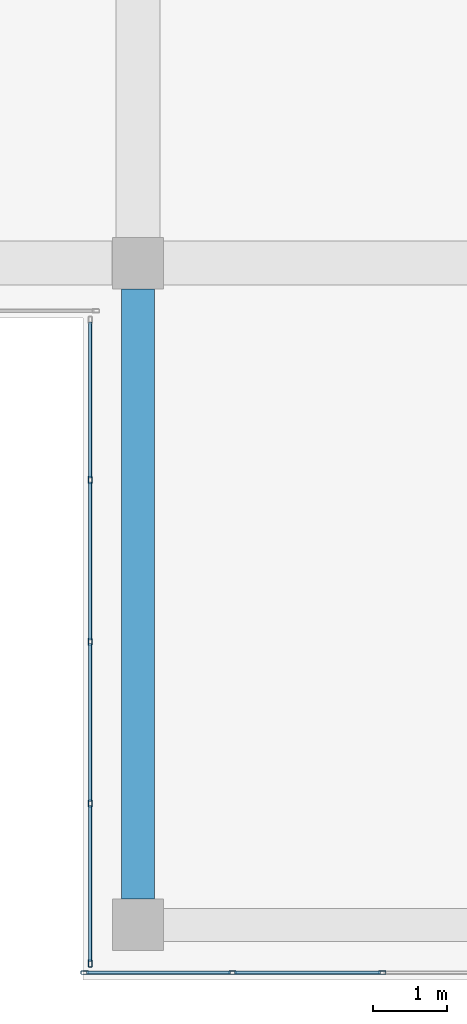
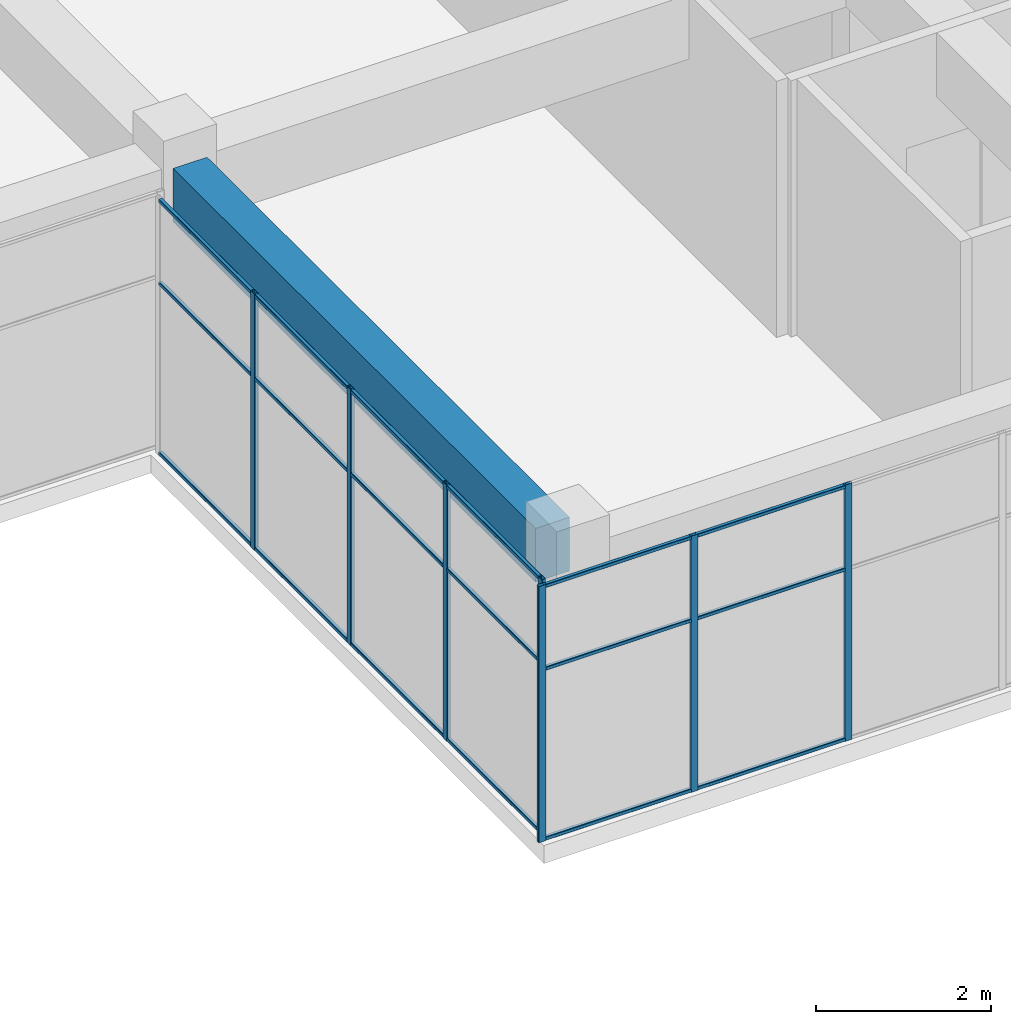
# One storey, part 2 of 32: 25 members, 1 beam, 2 elements without a shape of their own.
"""IFC4 building model written with IfcOpenShell, lengths in metres."""

from ifc_helpers import new_model, si_unit, direction, frame, origin, origin_2d, place, context, subcontext, project, spatial, rectangle, hollow_rectangle, extrude, material, layer, layer_set, material_profile, profile_set, type_object, element, aggregate, save


model = new_model("IFC4")

# Units and contexts
model_context = context("Model", 3, precision=1e-05, world=origin(), true_north=direction((0.0, 1.0)))
body_context = subcontext(model_context, "Body", "Model", "MODEL_VIEW")
ifc_project = project(units=[si_unit("LENGTHUNIT", "METRE"), si_unit("AREAUNIT", "SQUARE_METRE"), si_unit("VOLUMEUNIT", "CUBIC_METRE"), si_unit("PLANEANGLEUNIT", "RADIAN"), si_unit("MASSUNIT", "GRAM", prefix="KILO")], contexts=[model_context])

# Site, building, storey
site_placement = place(None, origin())
site = spatial("IfcSite", under=ifc_project, at=site_placement, CompositionType="ELEMENT")
building_placement = place(site_placement, origin())
building = spatial("IfcBuilding", under=site, at=building_placement, Name="Tuart Plaza Theatre", CompositionType="ELEMENT")
storey_placement = place(building_placement, frame((0.0, 0.0, 37.5)))
storey = spatial("IfcBuildingStorey", under=building, at=storey_placement, Name="L09", CompositionType="ELEMENT", Elevation=37.5)

# Beam
ifc_material_1 = material(Name="Concrete N40 (40 MPa)", Category="concrete")
ifc_material_profile_1 = material_profile(ifc_material_1, rectangle(XDim=0.449951171875, YDim=0.75, at=origin_2d()), Name="BEAM 450x750 Concrete N40 (40 MPa)")
ifc_profile_set_1 = profile_set([ifc_material_profile_1], Name="Concrete N40 (40 MPa)")
beam_type = type_object("IfcBeamType", Name="BEAM 450x750 Concrete N40 (40 MPa)", PredefinedType="BEAM", material=ifc_profile_set_1)
beam_placement = place(storey_placement, frame((114.0, 56.35009765625, 3.205078125), z_axis=(0.0, 1.0, 0.0), x_axis=(-1.0, 0.0, 0.0)))
element("IfcBeam", 1, at=beam_placement, inside=storey, type_object=beam_type, Name="RB255", PredefinedType="BEAM", context=body_context, shape_type="SweptSolid", body=[
    extrude(rectangle(XDim=0.449951171875, YDim=0.75, at=origin_2d()), origin(), (0.0, 0.0, 1.0), 8.2998046875),
])

# Curtain wall, members
ifc_material_2 = material(Name="Aluminium and glass", Category="aluminium")
ifc_layer = layer(ifc_material_2, 0.10009765625)
ifc_layer_set = layer_set([ifc_layer], Name="CURTAIN WALL 2000 module")
curtain_wall_type = type_object("IfcCurtainWallType", Name="CURTAIN WALL 2000 module", PredefinedType="NOTDEFINED", material=ifc_layer_set)
curtain_wall_1_placement = place(storey_placement, origin())
curtain_wall_1 = element("IfcCurtainWall", 2, at=curtain_wall_1_placement, inside=storey, type_object=curtain_wall_type, Name="CW88", PredefinedType="NOTDEFINED")
ifc_material_3 = material(Name="Aluminium 6063-T5", Category="aluminium")
ifc_material_profile_2 = material_profile(ifc_material_3, hollow_rectangle(XDim=0.050048828125, YDim=0.10009765625, WallThickness=0.00390625, InnerFilletRadius=0.00390625, OuterFilletRadius=0.008056640625, at=origin_2d()), Name="RHS 100x50x4")
ifc_profile_set_2 = profile_set([ifc_material_profile_2], Name="Aluminium 6063-T5")
member_type_1 = type_object("IfcMemberType", Name="MULLION RHS 100x50x4", PredefinedType="MULLION", material=ifc_profile_set_2)
member_1_placement = place(storey_placement, frame((113.27490234375, 55.35009765625, 0.0), z_axis=(0.0, 0.0, 1.0), x_axis=(0.0, 1.0, 0.0)))
member_1 = element("IfcMember", 3, at=member_1_placement, type_object=member_type_1, Name="CW88 mullion 1", PredefinedType="MULLION", context=body_context, shape_type="SweptSolid", body=[
    extrude(hollow_rectangle(XDim=0.050048828125, YDim=0.10009765625, WallThickness=0.00390625, InnerFilletRadius=0.00390625, OuterFilletRadius=0.008056640625, at=origin_2d()), origin(), (0.0, 0.0, 1.0), 3.580078125),
])
member_2_placement = place(storey_placement, frame((115.28564453125, 55.35009765625, 0.0), z_axis=(0.0, 0.0, 1.0), x_axis=(0.0, 1.0, 0.0)))
member_2 = element("IfcMember", 4, at=member_2_placement, type_object=member_type_1, Name="CW88 mullion 2", PredefinedType="MULLION", context=body_context, shape_type="SweptSolid", body=[
    extrude(hollow_rectangle(XDim=0.050048828125, YDim=0.10009765625, WallThickness=0.00390625, InnerFilletRadius=0.00390625, OuterFilletRadius=0.008056640625, at=origin_2d()), origin(), (0.0, 0.0, 1.0), 3.580078125),
])
member_3_placement = place(storey_placement, frame((117.321533203125, 55.35009765625, 0.0), z_axis=(0.0, 0.0, 1.0), x_axis=(0.0, 1.0, 0.0)))
member_3 = element("IfcMember", 5, at=member_3_placement, type_object=member_type_1, Name="CW88 mullion 3", PredefinedType="MULLION", context=body_context, shape_type="SweptSolid", body=[
    extrude(hollow_rectangle(XDim=0.050048828125, YDim=0.10009765625, WallThickness=0.00390625, InnerFilletRadius=0.00390625, OuterFilletRadius=0.008056640625, at=origin_2d()), origin(), (0.0, 0.0, 1.0), 3.580078125),
])

curtain_wall_2_placement = place(storey_placement, origin())
curtain_wall_2 = element("IfcCurtainWall", 6, at=curtain_wall_2_placement, inside=storey, type_object=curtain_wall_type, Name="CW99", PredefinedType="NOTDEFINED")
member_4_placement = place(storey_placement, frame((113.35009765625, 62.050048828125, 0.0), z_axis=(0.0, 0.0, 1.0), x_axis=(1.0, 0.0, 0.0)))
member_4 = element("IfcMember", 7, at=member_4_placement, type_object=member_type_1, Name="CW99 mullion 2", PredefinedType="MULLION", context=body_context, shape_type="SweptSolid", body=[
    extrude(hollow_rectangle(XDim=0.050048828125, YDim=0.10009765625, WallThickness=0.00390625, InnerFilletRadius=0.00390625, OuterFilletRadius=0.008056640625, at=origin_2d()), origin(), (0.0, 0.0, 1.0), 3.580078125),
])
member_5_placement = place(storey_placement, frame((113.35009765625, 59.85009765625, 0.0), z_axis=(0.0, 0.0, 1.0), x_axis=(1.0, 0.0, 0.0)))
member_5 = element("IfcMember", 8, at=member_5_placement, type_object=member_type_1, Name="CW99 mullion 3", PredefinedType="MULLION", context=body_context, shape_type="SweptSolid", body=[
    extrude(hollow_rectangle(XDim=0.050048828125, YDim=0.10009765625, WallThickness=0.00390625, InnerFilletRadius=0.00390625, OuterFilletRadius=0.008056640625, at=origin_2d()), origin(), (0.0, 0.0, 1.0), 3.580078125),
])
member_6_placement = place(storey_placement, frame((113.35009765625, 57.64990234375, 0.0), z_axis=(0.0, 0.0, 1.0), x_axis=(1.0, 0.0, 0.0)))
member_6 = element("IfcMember", 9, at=member_6_placement, type_object=member_type_1, Name="CW99 mullion 4", PredefinedType="MULLION", context=body_context, shape_type="SweptSolid", body=[
    extrude(hollow_rectangle(XDim=0.050048828125, YDim=0.10009765625, WallThickness=0.00390625, InnerFilletRadius=0.00390625, OuterFilletRadius=0.008056640625, at=origin_2d()), origin(), (0.0, 0.0, 1.0), 3.580078125),
])
member_7_placement = place(storey_placement, frame((113.35009765625, 55.47509765625, 0.0), z_axis=(0.0, 0.0, 1.0), x_axis=(1.0, 0.0, 0.0)))
member_7 = element("IfcMember", 10, at=member_7_placement, type_object=member_type_1, Name="CW99 mullion 5", PredefinedType="MULLION", context=body_context, shape_type="SweptSolid", body=[
    extrude(hollow_rectangle(XDim=0.050048828125, YDim=0.10009765625, WallThickness=0.00390625, InnerFilletRadius=0.00390625, OuterFilletRadius=0.008056640625, at=origin_2d()), origin(), (0.0, 0.0, 1.0), 3.580078125),
])

# Member
ifc_material_4 = material(Name="Aluminium 6063-T5", Category="aluminium")
ifc_material_profile_3 = material_profile(ifc_material_4, hollow_rectangle(XDim=0.050048828125, YDim=0.050048828125, WallThickness=0.00390625, InnerFilletRadius=0.00390625, OuterFilletRadius=0.008056640625, at=origin_2d()), Name="RHS 50x50x4")
ifc_profile_set_3 = profile_set([ifc_material_profile_3], Name="Aluminium 6063-T5")
member_type_2 = type_object("IfcMemberType", Name="TRANSOM RHS 50x50x4", PredefinedType="USERDEFINED", material=ifc_profile_set_3)
member_8_placement = place(storey_placement, frame((113.300048828125, 55.35009765625, 0.02490234375), z_axis=(1.0, 0.0, 0.0), x_axis=(0.0, 1.0, 0.0)))
member_8 = element("IfcMember", 11, at=member_8_placement, type_object=member_type_2, Name="CW88 transom 1.1", ObjectType="TRANSOM", PredefinedType="USERDEFINED", context=body_context, shape_type="SweptSolid", body=[
    extrude(hollow_rectangle(XDim=0.050048828125, YDim=0.050048828125, WallThickness=0.00390625, InnerFilletRadius=0.00390625, OuterFilletRadius=0.008056640625, at=origin_2d()), origin(), (0.0, 0.0, 1.0), 1.960693359375),
])

member_9_placement = place(storey_placement, frame((113.300048828125, 55.35009765625, 2.39990234375), z_axis=(1.0, 0.0, 0.0), x_axis=(0.0, 1.0, 0.0)))
member_9 = element("IfcMember", 12, at=member_9_placement, type_object=member_type_2, Name="CW88 transom 1.2", ObjectType="TRANSOM", PredefinedType="USERDEFINED", context=body_context, shape_type="SweptSolid", body=[
    extrude(hollow_rectangle(XDim=0.050048828125, YDim=0.050048828125, WallThickness=0.00390625, InnerFilletRadius=0.00390625, OuterFilletRadius=0.008056640625, at=origin_2d()), origin(), (0.0, 0.0, 1.0), 1.960693359375),
])

member_10_placement = place(storey_placement, frame((113.300048828125, 55.35009765625, 3.554931640625), z_axis=(1.0, 0.0, 0.0), x_axis=(0.0, 1.0, 0.0)))
member_10 = element("IfcMember", 13, at=member_10_placement, type_object=member_type_2, Name="CW88 transom 1.3", ObjectType="TRANSOM", PredefinedType="USERDEFINED", context=body_context, shape_type="SweptSolid", body=[
    extrude(hollow_rectangle(XDim=0.050048828125, YDim=0.050048828125, WallThickness=0.00390625, InnerFilletRadius=0.00390625, OuterFilletRadius=0.008056640625, at=origin_2d()), origin(), (0.0, 0.0, 1.0), 1.960693359375),
])

member_11_placement = place(storey_placement, frame((115.310791015625, 55.35009765625, 0.02490234375), z_axis=(1.0, 0.0, 0.0), x_axis=(0.0, 1.0, 0.0)))
member_11 = element("IfcMember", 14, at=member_11_placement, type_object=member_type_2, Name="CW88 transom 2.1", ObjectType="TRANSOM", PredefinedType="USERDEFINED", context=body_context, shape_type="SweptSolid", body=[
    extrude(hollow_rectangle(XDim=0.050048828125, YDim=0.050048828125, WallThickness=0.00390625, InnerFilletRadius=0.00390625, OuterFilletRadius=0.008056640625, at=origin_2d()), origin(), (0.0, 0.0, 1.0), 1.985595703125),
])

member_12_placement = place(storey_placement, frame((115.310791015625, 55.35009765625, 2.39990234375), z_axis=(1.0, 0.0, 0.0), x_axis=(0.0, 1.0, 0.0)))
member_12 = element("IfcMember", 15, at=member_12_placement, type_object=member_type_2, Name="CW88 transom 2.2", ObjectType="TRANSOM", PredefinedType="USERDEFINED", context=body_context, shape_type="SweptSolid", body=[
    extrude(hollow_rectangle(XDim=0.050048828125, YDim=0.050048828125, WallThickness=0.00390625, InnerFilletRadius=0.00390625, OuterFilletRadius=0.008056640625, at=origin_2d()), origin(), (0.0, 0.0, 1.0), 1.985595703125),
])

member_13_placement = place(storey_placement, frame((115.310791015625, 55.35009765625, 3.554931640625), z_axis=(1.0, 0.0, 0.0), x_axis=(0.0, 1.0, 0.0)))
member_13 = element("IfcMember", 16, at=member_13_placement, type_object=member_type_2, Name="CW88 transom 2.3", ObjectType="TRANSOM", PredefinedType="USERDEFINED", context=body_context, shape_type="SweptSolid", body=[
    extrude(hollow_rectangle(XDim=0.050048828125, YDim=0.050048828125, WallThickness=0.00390625, InnerFilletRadius=0.00390625, OuterFilletRadius=0.008056640625, at=origin_2d()), origin(), (0.0, 0.0, 1.0), 1.985595703125),
])

aggregate(curtain_wall_1, [member_1, member_2, member_3, member_8, member_9, member_10, member_11, member_12, member_13])

member_14_placement = place(storey_placement, frame((113.35009765625, 64.199951171875, 0.02490234375), z_axis=(0.0, -1.0, 0.0), x_axis=(1.0, 0.0, 0.0)))
member_14 = element("IfcMember", 17, at=member_14_placement, type_object=member_type_2, Name="CW99 transom 1.1", ObjectType="TRANSOM", PredefinedType="USERDEFINED", context=body_context, shape_type="SweptSolid", body=[
    extrude(hollow_rectangle(XDim=0.050048828125, YDim=0.050048828125, WallThickness=0.00390625, InnerFilletRadius=0.00390625, OuterFilletRadius=0.008056640625, at=origin_2d()), origin(), (0.0, 0.0, 1.0), 2.125),
])

member_15_placement = place(storey_placement, frame((113.35009765625, 64.199951171875, 2.39990234375), z_axis=(0.0, -1.0, 0.0), x_axis=(1.0, 0.0, 0.0)))
member_15 = element("IfcMember", 18, at=member_15_placement, type_object=member_type_2, Name="CW99 transom 1.2", ObjectType="TRANSOM", PredefinedType="USERDEFINED", context=body_context, shape_type="SweptSolid", body=[
    extrude(hollow_rectangle(XDim=0.050048828125, YDim=0.050048828125, WallThickness=0.00390625, InnerFilletRadius=0.00390625, OuterFilletRadius=0.008056640625, at=origin_2d()), origin(), (0.0, 0.0, 1.0), 2.125),
])

member_16_placement = place(storey_placement, frame((113.35009765625, 64.199951171875, 3.554931640625), z_axis=(0.0, -1.0, 0.0), x_axis=(1.0, 0.0, 0.0)))
member_16 = element("IfcMember", 19, at=member_16_placement, type_object=member_type_2, Name="CW99 transom 1.3", ObjectType="TRANSOM", PredefinedType="USERDEFINED", context=body_context, shape_type="SweptSolid", body=[
    extrude(hollow_rectangle(XDim=0.050048828125, YDim=0.050048828125, WallThickness=0.00390625, InnerFilletRadius=0.00390625, OuterFilletRadius=0.008056640625, at=origin_2d()), origin(), (0.0, 0.0, 1.0), 2.125),
])

member_17_placement = place(storey_placement, frame((113.35009765625, 62.02490234375, 0.02490234375), z_axis=(0.0, -1.0, 0.0), x_axis=(1.0, 0.0, 0.0)))
member_17 = element("IfcMember", 20, at=member_17_placement, type_object=member_type_2, Name="CW99 transom 2.1", ObjectType="TRANSOM", PredefinedType="USERDEFINED", context=body_context, shape_type="SweptSolid", body=[
    extrude(hollow_rectangle(XDim=0.050048828125, YDim=0.050048828125, WallThickness=0.00390625, InnerFilletRadius=0.00390625, OuterFilletRadius=0.008056640625, at=origin_2d()), origin(), (0.0, 0.0, 1.0), 2.14990234375),
])

member_18_placement = place(storey_placement, frame((113.35009765625, 62.02490234375, 2.39990234375), z_axis=(0.0, -1.0, 0.0), x_axis=(1.0, 0.0, 0.0)))
member_18 = element("IfcMember", 21, at=member_18_placement, type_object=member_type_2, Name="CW99 transom 2.2", ObjectType="TRANSOM", PredefinedType="USERDEFINED", context=body_context, shape_type="SweptSolid", body=[
    extrude(hollow_rectangle(XDim=0.050048828125, YDim=0.050048828125, WallThickness=0.00390625, InnerFilletRadius=0.00390625, OuterFilletRadius=0.008056640625, at=origin_2d()), origin(), (0.0, 0.0, 1.0), 2.14990234375),
])

member_19_placement = place(storey_placement, frame((113.35009765625, 62.02490234375, 3.554931640625), z_axis=(0.0, -1.0, 0.0), x_axis=(1.0, 0.0, 0.0)))
member_19 = element("IfcMember", 22, at=member_19_placement, type_object=member_type_2, Name="CW99 transom 2.3", ObjectType="TRANSOM", PredefinedType="USERDEFINED", context=body_context, shape_type="SweptSolid", body=[
    extrude(hollow_rectangle(XDim=0.050048828125, YDim=0.050048828125, WallThickness=0.00390625, InnerFilletRadius=0.00390625, OuterFilletRadius=0.008056640625, at=origin_2d()), origin(), (0.0, 0.0, 1.0), 2.14990234375),
])

member_20_placement = place(storey_placement, frame((113.35009765625, 59.824951171875, 0.02490234375), z_axis=(0.0, -1.0, 0.0), x_axis=(1.0, 0.0, 0.0)))
member_20 = element("IfcMember", 23, at=member_20_placement, type_object=member_type_2, Name="CW99 transom 3.1", ObjectType="TRANSOM", PredefinedType="USERDEFINED", context=body_context, shape_type="SweptSolid", body=[
    extrude(hollow_rectangle(XDim=0.050048828125, YDim=0.050048828125, WallThickness=0.00390625, InnerFilletRadius=0.00390625, OuterFilletRadius=0.008056640625, at=origin_2d()), origin(), (0.0, 0.0, 1.0), 2.14990234375),
])

member_21_placement = place(storey_placement, frame((113.35009765625, 59.824951171875, 2.39990234375), z_axis=(0.0, -1.0, 0.0), x_axis=(1.0, 0.0, 0.0)))
member_21 = element("IfcMember", 24, at=member_21_placement, type_object=member_type_2, Name="CW99 transom 3.2", ObjectType="TRANSOM", PredefinedType="USERDEFINED", context=body_context, shape_type="SweptSolid", body=[
    extrude(hollow_rectangle(XDim=0.050048828125, YDim=0.050048828125, WallThickness=0.00390625, InnerFilletRadius=0.00390625, OuterFilletRadius=0.008056640625, at=origin_2d()), origin(), (0.0, 0.0, 1.0), 2.14990234375),
])

member_22_placement = place(storey_placement, frame((113.35009765625, 59.824951171875, 3.554931640625), z_axis=(0.0, -1.0, 0.0), x_axis=(1.0, 0.0, 0.0)))
member_22 = element("IfcMember", 25, at=member_22_placement, type_object=member_type_2, Name="CW99 transom 3.3", ObjectType="TRANSOM", PredefinedType="USERDEFINED", context=body_context, shape_type="SweptSolid", body=[
    extrude(hollow_rectangle(XDim=0.050048828125, YDim=0.050048828125, WallThickness=0.00390625, InnerFilletRadius=0.00390625, OuterFilletRadius=0.008056640625, at=origin_2d()), origin(), (0.0, 0.0, 1.0), 2.14990234375),
])

member_23_placement = place(storey_placement, frame((113.35009765625, 57.625, 0.02490234375), z_axis=(0.0, -1.0, 0.0), x_axis=(1.0, 0.0, 0.0)))
member_23 = element("IfcMember", 26, at=member_23_placement, type_object=member_type_2, Name="CW99 transom 4.1", ObjectType="TRANSOM", PredefinedType="USERDEFINED", context=body_context, shape_type="SweptSolid", body=[
    extrude(hollow_rectangle(XDim=0.050048828125, YDim=0.050048828125, WallThickness=0.00390625, InnerFilletRadius=0.00390625, OuterFilletRadius=0.008056640625, at=origin_2d()), origin(), (0.0, 0.0, 1.0), 2.125),
])

member_24_placement = place(storey_placement, frame((113.35009765625, 57.625, 2.39990234375), z_axis=(0.0, -1.0, 0.0), x_axis=(1.0, 0.0, 0.0)))
member_24 = element("IfcMember", 27, at=member_24_placement, type_object=member_type_2, Name="CW99 transom 4.2", ObjectType="TRANSOM", PredefinedType="USERDEFINED", context=body_context, shape_type="SweptSolid", body=[
    extrude(hollow_rectangle(XDim=0.050048828125, YDim=0.050048828125, WallThickness=0.00390625, InnerFilletRadius=0.00390625, OuterFilletRadius=0.008056640625, at=origin_2d()), origin(), (0.0, 0.0, 1.0), 2.125),
])

member_25_placement = place(storey_placement, frame((113.35009765625, 57.625, 3.554931640625), z_axis=(0.0, -1.0, 0.0), x_axis=(1.0, 0.0, 0.0)))
member_25 = element("IfcMember", 28, at=member_25_placement, type_object=member_type_2, Name="CW99 transom 4.3", ObjectType="TRANSOM", PredefinedType="USERDEFINED", context=body_context, shape_type="SweptSolid", body=[
    extrude(hollow_rectangle(XDim=0.050048828125, YDim=0.050048828125, WallThickness=0.00390625, InnerFilletRadius=0.00390625, OuterFilletRadius=0.008056640625, at=origin_2d()), origin(), (0.0, 0.0, 1.0), 2.125),
])

aggregate(curtain_wall_2, [member_4, member_5, member_6, member_7, member_14, member_15, member_16, member_17, member_18, member_19, member_20, member_21, member_22, member_23, member_24, member_25])

save(model, "model.ifc")
